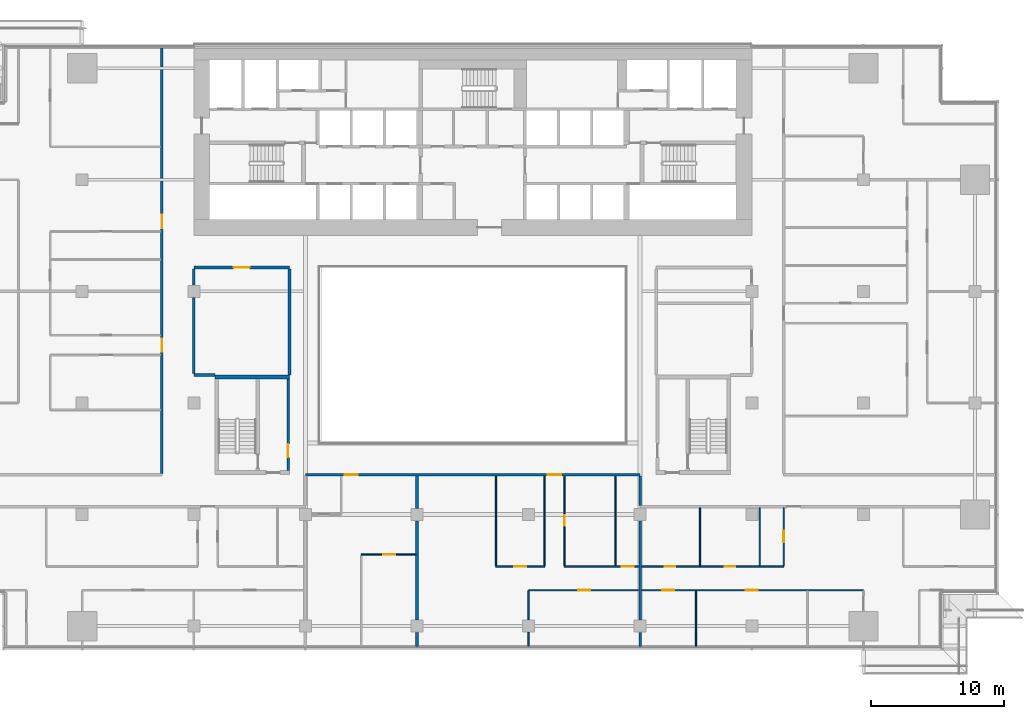
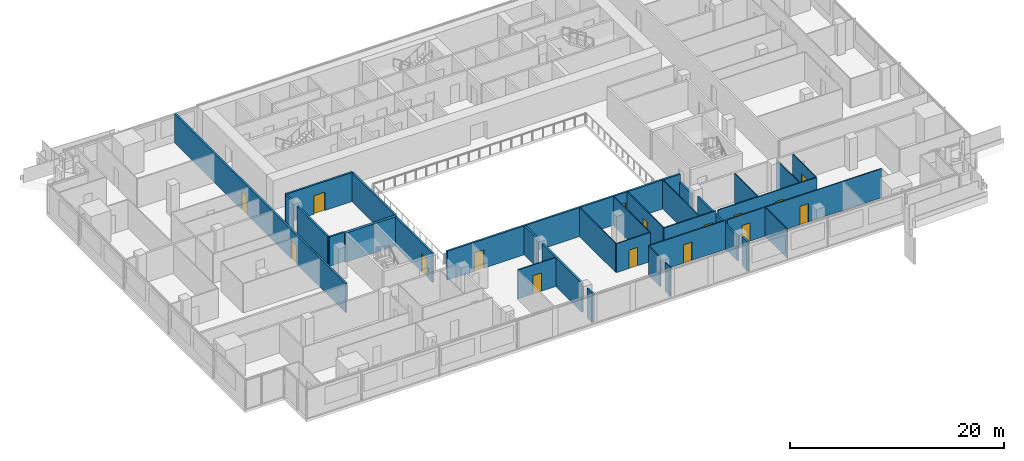
# One storey, part 19 of 30: 31 walls, 16 doors, 16 openings.
"""IFC4 building model written with IfcOpenShell, lengths in metres."""

import ifcopenshell
import ifcopenshell.guid

model = None  # the IFC model being written
_history = None  # IfcOwnerHistory: only IFC2X3 demands one
_inside = {}  # id of a spatial element -> (the spatial element, [elements in it])
_under = {}  # id of a project, library or spatial element -> (it, [spatial elements below it])
_declared = {}  # id of a project -> (the project, [libraries it declares])
_typed = {}  # id of a type object -> (the type object, [elements of that type])
_made_of = {}  # id of a material, layer set ... -> (it, [elements and type objects made of it])


def new_model(schema):
    """Start an empty IFC model of exactly this schema.

    Asked for "IFC4X3", IfcOpenShell would pick the latest addendum, in which some entities
    have other attributes; the version numbers below select the first issue.
    IFC2X3 requires an IfcOwnerHistory on every rooted entity: one is made here for all.
    """
    global model, _history
    if schema == "IFC4X3":
        model = ifcopenshell.file(schema_version=(4, 3, 0, 0))
    else:
        model = ifcopenshell.file(schema=schema)
    _inside.clear()
    _under.clear()
    _declared.clear()
    _typed.clear()
    _made_of.clear()
    _history = None
    if model.schema == "IFC2X3":
        org = make("IfcOrganization", Name="unknown")
        user = make(
            "IfcPersonAndOrganization",
            ThePerson=make("IfcPerson", FamilyName="unknown"),
            TheOrganization=org,
        )
        app = make(
            "IfcApplication",
            ApplicationDeveloper=org,
            Version="unknown",
            ApplicationFullName="unknown",
            ApplicationIdentifier="unknown",
        )
        _history = make(
            "IfcOwnerHistory",
            OwningUser=user,
            OwningApplication=app,
            ChangeAction="ADDED",
            CreationDate=0,
        )
    return model


def make(cls, **values):
    """One entity of the class cls with the attributes given. An attribute that is None is left unset."""
    return model.create_entity(
        cls, **{name: value for name, value in values.items() if value is not None}
    )


def rooted(cls, **values):
    """An entity with a GlobalId (a new one), such as an element, a storey or a relation."""
    return make(cls, GlobalId=ifcopenshell.guid.new(), OwnerHistory=_history, **values)


def si_unit(unit_type, name, prefix=None):
    """IfcSIUnit, for example si_unit("LENGTHUNIT", "METRE", prefix="MILLI")."""
    return make("IfcSIUnit", UnitType=unit_type, Prefix=prefix, Name=name)


def assignment(units):
    """IfcUnitAssignment: the units of a project."""
    return None if units is None else make("IfcUnitAssignment", Units=units)


def point(xyz):
    """IfcCartesianPoint."""
    return None if xyz is None else make("IfcCartesianPoint", Coordinates=xyz)


def direction(xyz):
    """IfcDirection."""
    return None if xyz is None else make("IfcDirection", DirectionRatios=xyz)


def frame(location, z_axis=None, x_axis=None):
    """IfcAxis2Placement3D, a coordinate frame: its origin and axes. An axis left out is left unset."""
    return make(
        "IfcAxis2Placement3D",
        Location=point(location),
        Axis=direction(z_axis),
        RefDirection=direction(x_axis),
    )


def frame_2d(location, x_axis=None):
    """IfcAxis2Placement2D, a coordinate frame in the plane: its origin and x axis."""
    return make(
        "IfcAxis2Placement2D", Location=point(location), RefDirection=direction(x_axis)
    )


def origin():
    """The frame at (0, 0, 0) with its axes left unset."""
    return frame((0.0, 0.0, 0.0))


def place(relative_to, where):
    """IfcLocalPlacement: puts the frame where relative to a parent placement (None: the world)."""
    return make(
        "IfcLocalPlacement", PlacementRelTo=relative_to, RelativePlacement=where
    )


def context(
    kind, dimensions, precision=None, world=None, true_north=None, identifier=None
):
    """IfcGeometricRepresentationContext, for example the 3D "Model" context."""
    return make(
        "IfcGeometricRepresentationContext",
        ContextIdentifier=identifier,
        ContextType=kind,
        CoordinateSpaceDimension=dimensions,
        Precision=precision,
        WorldCoordinateSystem=world,
        TrueNorth=true_north,
    )


def subcontext(parent, identifier, kind, view, scale=None):
    """IfcGeometricRepresentationSubContext, for example "Body" below "Model"."""
    return make(
        "IfcGeometricRepresentationSubContext",
        ContextIdentifier=identifier,
        ContextType=kind,
        ParentContext=parent,
        TargetScale=scale,
        TargetView=view,
    )


def project(units=None, contexts=None):
    """IfcProject with its units and contexts."""
    return rooted(
        "IfcProject",
        Name="project",
        RepresentationContexts=contexts,
        UnitsInContext=assignment(units),
    )


def spatial(cls, under=None, at=None, **own):
    """A site, building, storey or space (cls), placed at a placement, below another one or the project."""
    s = rooted(cls, ObjectPlacement=at, **own)
    if under is not None:
        _under.setdefault(under.id(), (under, []))[1].append(s)
    return s


def profile(cls, at=None, kind="AREA", **sizes):
    """A parametric profile (cls). Its sizes go by their IFC names, for example OverallWidth=200.0."""
    return make(cls, ProfileType=kind, Position=at, **sizes)


def rectangle(**sizes):
    """IfcRectangleProfileDef."""
    return profile("IfcRectangleProfileDef", **sizes)


def extrude(swept, where, along, depth):
    """IfcExtrudedAreaSolid: the profile swept, set in the frame where, extruded along a direction by depth."""
    return make(
        "IfcExtrudedAreaSolid",
        SweptArea=swept,
        Position=where,
        ExtrudedDirection=direction(along),
        Depth=depth,
    )


def shape(context_of_items, identifier, shape_type, items):
    """IfcShapeRepresentation: the items that make up one representation, for example the "Body"."""
    return make(
        "IfcShapeRepresentation",
        ContextOfItems=context_of_items,
        RepresentationIdentifier=identifier,
        RepresentationType=shape_type,
        Items=items,
    )


def material(Name=None, Category=None):
    """IfcMaterial."""
    return make("IfcMaterial", Name=Name, Category=Category)


def layer(
    of_material, thickness, ventilated=None, Name=None, Category=None, Priority=None
):
    """IfcMaterialLayer: one layer of a wall or slab, of a material (None: an air gap)."""
    return make(
        "IfcMaterialLayer",
        Material=of_material,
        LayerThickness=thickness,
        IsVentilated=ventilated,
        Name=Name,
        Category=Category,
        Priority=Priority,
    )


def layer_set(layers, Name=None):
    """IfcMaterialLayerSet."""
    return make("IfcMaterialLayerSet", MaterialLayers=layers, LayerSetName=Name)


def made_of(thing, what):
    """Note that an element or type object is made of a material, layer set ...; save() writes the relation."""
    if what is not None:
        _made_of.setdefault(what.id(), (what, []))[1].append(thing)
    return thing


def type_object(cls, material=None, **own):
    """A type object (cls), such as IfcWallType, which elements share."""
    return made_of(rooted(cls, **own), material)


def element(
    cls,
    number,
    at=None,
    inside=None,
    cuts=None,
    type_object=None,
    material=None,
    context=None,
    identifier="Body",
    shape_type=None,
    held_by="IfcProductDefinitionShape",
    body=None,
    shapes=None,
    **own,
):
    """One element of the class cls, such as IfcWall. Its Tag is "e" and its number.

    at: its placement. inside: the storey or other place that contains it. cuts: it is an
    opening in that element (IfcRelVoidsElement). A single representation is given by context,
    identifier, shape_type and body (its items); several are given by shapes. held_by: the class
    of the entity that holds the representations. save() writes the other relations.
    """
    e = rooted(cls, Tag="e%d" % number, ObjectPlacement=at, **own)
    if body is not None:
        shapes = [shape(context, identifier, shape_type, body)]
    if shapes is not None:
        e.Representation = make(held_by, Representations=shapes)
    if inside is not None:
        _inside.setdefault(inside.id(), (inside, []))[1].append(e)
    if cuts is not None:
        rooted(
            "IfcRelVoidsElement", RelatingBuildingElement=cuts, RelatedOpeningElement=e
        )
    if type_object is not None:
        _typed.setdefault(type_object.id(), (type_object, []))[1].append(e)
    return made_of(e, material)


def fill(opening, filler):
    """IfcRelFillsElement: the door or window that sits in an opening."""
    return rooted(
        "IfcRelFillsElement",
        RelatingOpeningElement=opening,
        RelatedBuildingElement=filler,
    )


def aggregate(whole, parts):
    """IfcRelAggregates: a whole, such as a stair, and the parts it consists of."""
    return rooted("IfcRelAggregates", RelatingObject=whole, RelatedObjects=parts)


def save(model, path):
    """Write the relations noted so far, then the file.

    IfcRelAggregates (storeys below a building ...), IfcRelContainedInSpatialStructure (elements
    in a storey), IfcRelDefinesByType, IfcRelAssociatesMaterial and IfcRelDeclares: one each for
    every whole, place, type object, material and project.
    """
    for whole, parts in _under.values():
        aggregate(whole, parts)
    for where, things in _inside.values():
        rooted(
            "IfcRelContainedInSpatialStructure",
            RelatedElements=things,
            RelatingStructure=where,
        )
    for kind, things in _typed.values():
        rooted("IfcRelDefinesByType", RelatedObjects=things, RelatingType=kind)
    for what, things in _made_of.values():
        rooted("IfcRelAssociatesMaterial", RelatedObjects=things, RelatingMaterial=what)
    for by, libraries in _declared.values():
        rooted("IfcRelDeclares", RelatingContext=by, RelatedDefinitions=libraries)
    model.write(path)


model = new_model("IFC4")

# Units and contexts
model_context = context("Model", 3, precision=1e-05, world=origin(), true_north=direction((0.0, 1.0)))
body_context = subcontext(model_context, "Body", "Model", "MODEL_VIEW")
ifc_project = project(units=[si_unit("LENGTHUNIT", "METRE"), si_unit("AREAUNIT", "SQUARE_METRE"), si_unit("VOLUMEUNIT", "CUBIC_METRE"), si_unit("PLANEANGLEUNIT", "RADIAN"), si_unit("MASSUNIT", "GRAM", prefix="KILO")], contexts=[model_context])

# Site, building, storey
site_placement = place(None, origin())
site = spatial("IfcSite", under=ifc_project, at=site_placement, CompositionType="ELEMENT")
building_placement = place(site_placement, origin())
building = spatial("IfcBuilding", under=site, at=building_placement, Name="Saffron Gate Tower", CompositionType="ELEMENT")
storey_placement = place(building_placement, frame((0.0, 0.0, 69.60009765625)))
storey = spatial("IfcBuildingStorey", under=building, at=storey_placement, Name="L16", CompositionType="ELEMENT", Elevation=69.60009765625)

# Wall, opening, door
ifc_material_1 = material(Name="Gypsum board partition on steel studs", Category="steel")
ifc_layer_1 = layer(ifc_material_1, 0.199951171875)
ifc_layer_set_1 = layer_set([ifc_layer_1], Name="CW10 Core partition 200")
wall_type_1 = type_object("IfcWallType", Name="CW10 Core partition 200", PredefinedType="PARTITIONING", material=ifc_layer_set_1)
wall_1_placement = place(storey_placement, frame((73.699951171875, 43.5, 0.0), z_axis=(0.0, 0.0, 1.0), x_axis=(0.0, 1.0, 0.0)))
wall_1 = element("IfcWall", 1, at=wall_1_placement, inside=storey, type_object=wall_type_1, Name="Wall CW10-L16-D-4", PredefinedType="PARTITIONING", context=body_context, shape_type="SweptSolid", body=[
    extrude(rectangle(XDim=6.89990234375, YDim=0.199951171875, at=frame_2d((3.449951171875, 0.0))), origin(), (0.0, 0.0, 1.0), 3.31982421875),
])
opening_1_placement = place(wall_1_placement, frame((1.0, 0.0, 0.0)))
opening_1 = element("IfcOpeningElement", 2, at=opening_1_placement, cuts=wall_1, Name="Opening CR-19", PredefinedType="OPENING", context=body_context, shape_type="SweptSolid", body=[
    extrude(rectangle(XDim=1.0, YDim=2.10009765625, at=frame_2d((0.5, 1.050048828125))), frame((0.0, 0.10986328125, 0.0), z_axis=(0.0, -1.0, 0.0), x_axis=(1.0, 0.0, 0.0)), (0.0, 0.0, 1.0), 0.219970703125),
])
ifc_material_2 = material(Name="Steel fire door set", Category="steel")
door_type_1 = type_object("IfcDoorType", Name="CD4 Lobby door 1000x2100 EI 120", OperationType="NOTDEFINED", PredefinedType="DOOR", material=ifc_material_2)
door_1_placement = place(opening_1_placement, origin())
door_1 = element("IfcDoor", 3, at=door_1_placement, inside=storey, type_object=door_type_1, Name="DOOR CR-19", OperationType="SINGLE_SWING_RIGHT", OverallHeight=2.10009765625, OverallWidth=1.0, PredefinedType="DOOR", context=body_context, shape_type="SweptSolid", body=[
    extrude(rectangle(XDim=1.0, YDim=2.10009765625, at=frame_2d((0.5, 1.050048828125))), frame((0.0, 0.02490234375, 0.0), z_axis=(0.0, -1.0, 0.0), x_axis=(1.0, 0.0, 0.0)), (0.0, 0.0, 1.0), 0.050048828125),
])
fill(opening_1, door_1)

# Wall
ifc_material_3 = material(Name="Concrete C70", Category="concrete")
ifc_layer_2 = layer(ifc_material_3, 0.300048828125)
ifc_layer_set_2 = layer_set([ifc_layer_2], Name="CW5 RC core wall 300 C70")
wall_type_2 = type_object("IfcWallType", Name="CW5 RC core wall 300 C70", PredefinedType="SOLIDWALL", material=ifc_layer_set_2)
wall_2_placement = place(storey_placement, frame((68.199951171875, 50.550048828125, 0.0), z_axis=(0.0, 0.0, 1.0), x_axis=(1.0, 0.0, 0.0)))
element("IfcWall", 4, at=wall_2_placement, inside=storey, type_object=wall_type_2, Name="Wall CW5-L16-D-5", PredefinedType="SOLIDWALL", context=body_context, shape_type="SweptSolid", body=[
    extrude(rectangle(XDim=5.60009765625, YDim=0.300048828125, at=frame_2d((2.800048828125, 0.0))), origin(), (0.0, 0.0, 1.0), 3.31982421875),
])

# Wall, opening, door
ifc_material_4 = material(Name="Plasterboard on steel studs", Category="steel")
ifc_layer_3 = layer(ifc_material_4, 0.10009765625)
ifc_layer_set_3 = layer_set([ifc_layer_3], Name="PW1 Partition 100")
wall_type_3 = type_object("IfcWallType", Name="PW1 Partition 100", PredefinedType="PARTITIONING", material=ifc_layer_set_3)
wall_3_placement = place(storey_placement, frame((89.342041015625, 36.300048828125, 0.0), z_axis=(0.0, 0.0, 1.0), x_axis=(1.0, 0.0, 0.0)))
wall_3 = element("IfcWall", 5, at=wall_3_placement, inside=storey, type_object=wall_type_3, Name="Partition A4-6", PredefinedType="PARTITIONING", context=body_context, shape_type="SweptSolid", body=[
    extrude(rectangle(XDim=3.657958984375, YDim=0.10009765625, at=frame_2d((1.8291015625, 0.0))), origin(), (0.0, 0.0, 1.0), 3.31982421875),
])
opening_2_placement = place(wall_3_placement, frame((1.37890625, 0.0, 0.0)))
opening_2 = element("IfcOpeningElement", 6, at=opening_2_placement, cuts=wall_3, Name="Opening A4-15", PredefinedType="OPENING", context=body_context, shape_type="SweptSolid", body=[
    extrude(rectangle(XDim=0.89990234375, YDim=2.10009765625, at=frame_2d((0.449951171875, 1.050048828125))), frame((0.0, 0.06005859375, 0.0), z_axis=(0.0, -1.0, 0.0), x_axis=(1.0, 0.0, 0.0)), (0.0, 0.0, 1.0), 0.1201171875),
])
ifc_material_5 = material(Name="Timber door set", Category="wood")
door_type_2 = type_object("IfcDoorType", Name="RD1 Room door 900x2100", OperationType="NOTDEFINED", PredefinedType="DOOR", material=ifc_material_5)
door_2_placement = place(opening_2_placement, origin())
door_2 = element("IfcDoor", 7, at=door_2_placement, inside=storey, type_object=door_type_2, Name="Door A4-15", OperationType="SINGLE_SWING_LEFT", OverallHeight=2.10009765625, OverallWidth=0.89990234375, PredefinedType="DOOR", context=body_context, shape_type="SweptSolid", body=[
    extrude(rectangle(XDim=0.89990234375, YDim=2.10009765625, at=frame_2d((0.449951171875, 1.050048828125))), frame((0.0, 0.02490234375, 0.0), z_axis=(0.0, -1.0, 0.0), x_axis=(1.0, 0.0, 0.0)), (0.0, 0.0, 1.0), 0.050048828125),
])
fill(opening_2, door_2)

wall_4_placement = place(storey_placement, frame((83.300048828125, 37.199951171875, 0.0), z_axis=(0.0, 0.0, 1.0), x_axis=(-1.0, 0.0, 0.0)))
wall_4 = element("IfcWall", 8, at=wall_4_placement, inside=storey, type_object=wall_type_3, Name="Partition A4-8", PredefinedType="PARTITIONING", context=body_context, shape_type="SweptSolid", body=[
    extrude(rectangle(XDim=4.10009765625, YDim=0.10009765625, at=frame_2d((2.050048828125, 0.0))), origin(), (0.0, 0.0, 1.0), 3.31982421875),
])
opening_3_placement = place(wall_4_placement, frame((1.550048828125, 0.0, 0.0)))
opening_3 = element("IfcOpeningElement", 9, at=opening_3_placement, cuts=wall_4, Name="Opening A4-13", PredefinedType="OPENING", context=body_context, shape_type="SweptSolid", body=[
    extrude(rectangle(XDim=0.89990234375, YDim=2.10009765625, at=frame_2d((0.449951171875, 1.050048828125))), frame((0.0, 0.06005859375, 0.0), z_axis=(0.0, -1.0, 0.0), x_axis=(1.0, 0.0, 0.0)), (0.0, 0.0, 1.0), 0.1201171875),
])
door_3_placement = place(opening_3_placement, origin())
door_3 = element("IfcDoor", 10, at=door_3_placement, inside=storey, type_object=door_type_2, Name="Door A4-13", OperationType="SINGLE_SWING_LEFT", OverallHeight=2.10009765625, OverallWidth=0.89990234375, PredefinedType="DOOR", context=body_context, shape_type="SweptSolid", body=[
    extrude(rectangle(XDim=0.89990234375, YDim=2.10009765625, at=frame_2d((0.449951171875, 1.050048828125))), frame((0.0, 0.02490234375, 0.0), z_axis=(0.0, -1.0, 0.0), x_axis=(1.0, 0.0, 0.0)), (0.0, 0.0, 1.0), 0.050048828125),
])
fill(opening_3, door_3)

# Walls
wall_5_placement = place(storey_placement, frame((89.342041015625, 43.10009765625, 0.0), z_axis=(0.0, 0.0, 1.0), x_axis=(0.0, -1.0, 0.0)))
element("IfcWall", 11, at=wall_5_placement, inside=storey, type_object=wall_type_3, Name="Partition A4-74", PredefinedType="PARTITIONING", context=body_context, shape_type="SweptSolid", body=[
    extrude(rectangle(XDim=6.75, YDim=0.10009765625, at=frame_2d((3.375, 0.0))), origin(), (0.0, 0.0, 1.0), 3.31982421875),
])
wall_6_placement = place(storey_placement, frame((91.800048828125, 31.330078125, 0.0), z_axis=(0.0, 0.0, 1.0), x_axis=(0.0, -1.0, 0.0)))
element("IfcWall", 12, at=wall_6_placement, inside=storey, type_object=wall_type_3, Name="Partition A4-75", PredefinedType="PARTITIONING", context=body_context, shape_type="SweptSolid", body=[
    extrude(rectangle(XDim=1.050048828125, YDim=0.10009765625, at=frame_2d((0.52490234375, 0.0))), origin(), (0.0, 0.0, 1.0), 3.31982421875),
])
wall_7_placement = place(storey_placement, frame((91.800048828125, 34.449951171875, 0.0), z_axis=(0.0, 0.0, 1.0), x_axis=(0.0, -1.0, 0.0)))
element("IfcWall", 13, at=wall_7_placement, inside=storey, type_object=wall_type_3, Name="Partition A4-76", PredefinedType="PARTITIONING", context=body_context, shape_type="SweptSolid", body=[
    extrude(rectangle(XDim=2.179931640625, YDim=0.10009765625, at=frame_2d((1.08984375, 0.0))), origin(), (0.0, 0.0, 1.0), 3.31982421875),
])
wall_8_placement = place(storey_placement, frame((93.0, 43.10009765625, 0.0), z_axis=(0.0, 0.0, 1.0), x_axis=(0.0, -1.0, 0.0)))
element("IfcWall", 14, at=wall_8_placement, inside=storey, type_object=wall_type_3, Name="Partition A4-77", PredefinedType="PARTITIONING", context=body_context, shape_type="SweptSolid", body=[
    extrude(rectangle(XDim=6.75, YDim=0.10009765625, at=frame_2d((3.375, 0.0))), origin(), (0.0, 0.0, 1.0), 3.31982421875),
])

# Wall, opening, door
wall_9_placement = place(storey_placement, frame((94.5, 43.10009765625, 0.0), z_axis=(0.0, 0.0, 1.0), x_axis=(0.0, -1.0, 0.0)))
wall_9 = element("IfcWall", 15, at=wall_9_placement, inside=storey, type_object=wall_type_3, Name="Partition A4-78", PredefinedType="PARTITIONING", context=body_context, shape_type="SweptSolid", body=[
    extrude(rectangle(XDim=6.75, YDim=0.10009765625, at=frame_2d((3.375, 0.0))), origin(), (0.0, 0.0, 1.0), 3.31982421875),
])
opening_4_placement = place(wall_9_placement, frame((2.949951171875, 0.0, 0.0)))
opening_4 = element("IfcOpeningElement", 16, at=opening_4_placement, cuts=wall_9, Name="Opening A4-37", PredefinedType="OPENING", context=body_context, shape_type="SweptSolid", body=[
    extrude(rectangle(XDim=0.800048828125, YDim=2.10009765625, at=frame_2d((0.39990234375, 1.050048828125))), frame((0.0, 0.06005859375, 0.0), z_axis=(0.0, -1.0, 0.0), x_axis=(1.0, 0.0, 0.0)), (0.0, 0.0, 1.0), 0.1201171875),
])
door_type_3 = type_object("IfcDoorType", Name="RD2 Bathroom door 800x2100", OperationType="NOTDEFINED", PredefinedType="DOOR", material=ifc_material_5)
door_4_placement = place(opening_4_placement, origin())
door_4 = element("IfcDoor", 17, at=door_4_placement, inside=storey, type_object=door_type_3, Name="Door A4-37", OperationType="SINGLE_SWING_LEFT", OverallHeight=2.10009765625, OverallWidth=0.800048828125, PredefinedType="DOOR", context=body_context, shape_type="SweptSolid", body=[
    extrude(rectangle(XDim=0.800048828125, YDim=2.10009765625, at=frame_2d((0.39990234375, 1.050048828125))), frame((0.0, 0.02490234375, 0.0), z_axis=(0.0, -1.0, 0.0), x_axis=(1.0, 0.0, 0.0)), (0.0, 0.0, 1.0), 0.050048828125),
])
fill(opening_4, door_4)

# Walls
wall_10_placement = place(storey_placement, frame((98.340576171875, 43.10009765625, 0.0), z_axis=(0.0, 0.0, 1.0), x_axis=(0.0, -1.0, 0.0)))
element("IfcWall", 18, at=wall_10_placement, inside=storey, type_object=wall_type_3, Name="Partition A4-79", PredefinedType="PARTITIONING", context=body_context, shape_type="SweptSolid", body=[
    extrude(rectangle(XDim=6.75, YDim=0.10009765625, at=frame_2d((3.375, 0.0))), origin(), (0.0, 0.0, 1.0), 3.31982421875),
])
wall_11_placement = place(storey_placement, frame((104.39990234375, 34.449951171875, 0.0), z_axis=(0.0, 0.0, 1.0), x_axis=(0.0, -1.0, 0.0)))
element("IfcWall", 19, at=wall_11_placement, inside=storey, type_object=wall_type_3, Name="Partition A4-84", PredefinedType="PARTITIONING", context=body_context, shape_type="SweptSolid", body=[
    extrude(rectangle(XDim=4.169921875, YDim=0.10009765625, at=frame_2d((2.0849609375, 0.0))), origin(), (0.0, 0.0, 1.0), 3.31982421875),
])
for number, where, z_axis, x_axis, name in (
    (20, (104.699951171875, 40.699951171875, 0.0), (0.0, 0.0, 1.0), (0.0, -1.0, 0.0), "Partition A4-85"),
    (21, (109.199951171875, 40.699951171875, 0.0), (0.0, 0.0, 1.0), (0.0, -1.0, 0.0), "Partition A4-88"),
):
    element("IfcWall", number, at=place(storey_placement, frame(where, z_axis=z_axis, x_axis=x_axis)), inside=storey, type_object=wall_type_3, Name=name, PredefinedType="PARTITIONING", context=body_context, shape_type="SweptSolid", body=[
        extrude(rectangle(XDim=4.349853515625, YDim=0.10009765625, at=frame_2d((2.1748046875, 0.0))), origin(), (0.0, 0.0, 1.0), 3.31982421875),
    ])

# Wall, opening, door
wall_12_placement = place(storey_placement, frame((111.0, 36.35009765625, 0.0), z_axis=(0.0, 0.0, 1.0), x_axis=(0.0, 1.0, 0.0)))
wall_12 = element("IfcWall", 22, at=wall_12_placement, inside=storey, type_object=wall_type_3, Name="Partition A4-90", PredefinedType="PARTITIONING", context=body_context, shape_type="SweptSolid", body=[
    extrude(rectangle(XDim=4.349853515625, YDim=0.10009765625, at=frame_2d((2.1748046875, 0.0))), origin(), (0.0, 0.0, 1.0), 3.31982421875),
])
opening_5_placement = place(wall_12_placement, frame((1.75, 0.0, 0.0)))
opening_5 = element("IfcOpeningElement", 23, at=opening_5_placement, cuts=wall_12, Name="Opening A4-22", PredefinedType="OPENING", context=body_context, shape_type="SweptSolid", body=[
    extrude(rectangle(XDim=0.89990234375, YDim=2.10009765625, at=frame_2d((0.449951171875, 1.050048828125))), frame((0.0, 0.06005859375, 0.0), z_axis=(0.0, -1.0, 0.0), x_axis=(1.0, 0.0, 0.0)), (0.0, 0.0, 1.0), 0.1201171875),
])
door_5_placement = place(opening_5_placement, origin())
door_5 = element("IfcDoor", 24, at=door_5_placement, inside=storey, type_object=door_type_2, Name="Door A4-22", OperationType="SINGLE_SWING_RIGHT", OverallHeight=2.10009765625, OverallWidth=0.89990234375, PredefinedType="DOOR", context=body_context, shape_type="SweptSolid", body=[
    extrude(rectangle(XDim=0.89990234375, YDim=2.10009765625, at=frame_2d((0.449951171875, 1.050048828125))), frame((0.0, 0.02490234375, 0.0), z_axis=(0.0, -1.0, 0.0), x_axis=(1.0, 0.0, 0.0)), (0.0, 0.0, 1.0), 0.050048828125),
])
fill(opening_5, door_5)

wall_13_placement = place(storey_placement, frame((100.10009765625, 34.5, 0.0), z_axis=(0.0, 0.0, 1.0), x_axis=(-1.0, 0.0, 0.0)))
wall_13 = element("IfcWall", 25, at=wall_13_placement, inside=storey, type_object=wall_type_3, Name="Partition A4-101", PredefinedType="PARTITIONING", context=body_context, shape_type="SweptSolid", body=[
    extrude(rectangle(XDim=8.300048828125, YDim=0.10009765625, at=frame_2d((4.14990234375, 0.0))), origin(), (0.0, 0.0, 1.0), 3.31982421875),
])
opening_6_placement = place(wall_13_placement, frame((3.64990234375, 0.0, 0.0)))
opening_6 = element("IfcOpeningElement", 26, at=opening_6_placement, cuts=wall_13, Name="Opening A4-14", PredefinedType="OPENING", context=body_context, shape_type="SweptSolid", body=[
    extrude(rectangle(XDim=0.89990234375, YDim=2.10009765625, at=frame_2d((0.449951171875, 1.050048828125))), frame((0.0, 0.06005859375, 0.0), z_axis=(0.0, -1.0, 0.0), x_axis=(1.0, 0.0, 0.0)), (0.0, 0.0, 1.0), 0.1201171875),
])
door_6_placement = place(opening_6_placement, origin())
door_6 = element("IfcDoor", 27, at=door_6_placement, inside=storey, type_object=door_type_2, Name="Door A4-14", OperationType="SINGLE_SWING_LEFT", OverallHeight=2.10009765625, OverallWidth=0.89990234375, PredefinedType="DOOR", context=body_context, shape_type="SweptSolid", body=[
    extrude(rectangle(XDim=0.89990234375, YDim=2.10009765625, at=frame_2d((0.449951171875, 1.050048828125))), frame((0.0, 0.02490234375, 0.0), z_axis=(0.0, -1.0, 0.0), x_axis=(1.0, 0.0, 0.0)), (0.0, 0.0, 1.0), 0.050048828125),
])
fill(opening_6, door_6)

# Wall, openings, doors
wall_14_placement = place(storey_placement, frame((117.0, 34.5, 0.0), z_axis=(0.0, 0.0, 1.0), x_axis=(-1.0, 0.0, 0.0)))
wall_14 = element("IfcWall", 28, at=wall_14_placement, inside=storey, type_object=wall_type_3, Name="Partition A4-102", PredefinedType="PARTITIONING", context=body_context, shape_type="SweptSolid", body=[
    extrude(rectangle(XDim=16.699951171875, YDim=0.10009765625, at=frame_2d((8.35009765625, 0.0))), origin(), (0.0, 0.0, 1.0), 3.31982421875),
])
opening_7_placement = place(wall_14_placement, frame((7.949951171875, 0.0, 0.0)))
opening_7 = element("IfcOpeningElement", 29, at=opening_7_placement, cuts=wall_14, Name="Opening A4-18", PredefinedType="OPENING", context=body_context, shape_type="SweptSolid", body=[
    extrude(rectangle(XDim=0.89990234375, YDim=2.10009765625, at=frame_2d((0.449951171875, 1.050048828125))), frame((0.0, 0.06005859375, 0.0), z_axis=(0.0, -1.0, 0.0), x_axis=(1.0, 0.0, 0.0)), (0.0, 0.0, 1.0), 0.1201171875),
])
opening_8_placement = place(wall_14_placement, frame((14.25, 0.0, 0.0)))
opening_8 = element("IfcOpeningElement", 30, at=opening_8_placement, cuts=wall_14, Name="Opening A4-17", PredefinedType="OPENING", context=body_context, shape_type="SweptSolid", body=[
    extrude(rectangle(XDim=0.89990234375, YDim=2.10009765625, at=frame_2d((0.449951171875, 1.050048828125))), frame((0.0, 0.06005859375, 0.0), z_axis=(0.0, -1.0, 0.0), x_axis=(1.0, 0.0, 0.0)), (0.0, 0.0, 1.0), 0.1201171875),
])
door_7_placement = place(opening_7_placement, origin())
door_7 = element("IfcDoor", 31, at=door_7_placement, inside=storey, type_object=door_type_2, Name="Door A4-18", OperationType="SINGLE_SWING_LEFT", OverallHeight=2.10009765625, OverallWidth=0.89990234375, PredefinedType="DOOR", context=body_context, shape_type="SweptSolid", body=[
    extrude(rectangle(XDim=0.89990234375, YDim=2.10009765625, at=frame_2d((0.449951171875, 1.050048828125))), frame((0.0, 0.02490234375, 0.0), z_axis=(0.0, -1.0, 0.0), x_axis=(1.0, 0.0, 0.0)), (0.0, 0.0, 1.0), 0.050048828125),
])
fill(opening_7, door_7)
door_8_placement = place(opening_8_placement, origin())
door_8 = element("IfcDoor", 32, at=door_8_placement, inside=storey, type_object=door_type_2, Name="Door A4-17", OperationType="SINGLE_SWING_RIGHT", OverallHeight=2.10009765625, OverallWidth=0.89990234375, PredefinedType="DOOR", context=body_context, shape_type="SweptSolid", body=[
    extrude(rectangle(XDim=0.89990234375, YDim=2.10009765625, at=frame_2d((0.449951171875, 1.050048828125))), frame((0.0, 0.02490234375, 0.0), z_axis=(0.0, -1.0, 0.0), x_axis=(1.0, 0.0, 0.0)), (0.0, 0.0, 1.0), 0.050048828125),
])
fill(opening_8, door_8)

# Wall, opening, door
wall_15_placement = place(storey_placement, frame((94.5, 36.300048828125, 0.0), z_axis=(0.0, 0.0, 1.0), x_axis=(1.0, 0.0, 0.0)))
wall_15 = element("IfcWall", 33, at=wall_15_placement, inside=storey, type_object=wall_type_3, Name="Partition A4-103", PredefinedType="PARTITIONING", context=body_context, shape_type="SweptSolid", body=[
    extrude(rectangle(XDim=5.60009765625, YDim=0.10009765625, at=frame_2d((2.800048828125, 0.0))), origin(), (0.0, 0.0, 1.0), 3.31982421875),
])
opening_9_placement = place(wall_15_placement, frame((4.3203125, 0.0, 0.0)))
opening_9 = element("IfcOpeningElement", 34, at=opening_9_placement, cuts=wall_15, Name="Opening A4-16", PredefinedType="OPENING", context=body_context, shape_type="SweptSolid", body=[
    extrude(rectangle(XDim=0.89990234375, YDim=2.10009765625, at=frame_2d((0.449951171875, 1.050048828125))), frame((0.0, 0.06005859375, 0.0), z_axis=(0.0, -1.0, 0.0), x_axis=(1.0, 0.0, 0.0)), (0.0, 0.0, 1.0), 0.1201171875),
])
door_9_placement = place(opening_9_placement, origin())
door_9 = element("IfcDoor", 35, at=door_9_placement, inside=storey, type_object=door_type_2, Name="Door A4-16", OperationType="SINGLE_SWING_RIGHT", OverallHeight=2.10009765625, OverallWidth=0.89990234375, PredefinedType="DOOR", context=body_context, shape_type="SweptSolid", body=[
    extrude(rectangle(XDim=0.89990234375, YDim=2.10009765625, at=frame_2d((0.449951171875, 1.050048828125))), frame((0.0, 0.02490234375, 0.0), z_axis=(0.0, -1.0, 0.0), x_axis=(1.0, 0.0, 0.0)), (0.0, 0.0, 1.0), 0.050048828125),
])
fill(opening_9, door_9)

# Wall, openings, doors
wall_16_placement = place(storey_placement, frame((100.300048828125, 36.300048828125, 0.0), z_axis=(0.0, 0.0, 1.0), x_axis=(1.0, 0.0, 0.0)))
wall_16 = element("IfcWall", 36, at=wall_16_placement, inside=storey, type_object=wall_type_3, Name="Partition A4-104", PredefinedType="PARTITIONING", context=body_context, shape_type="SweptSolid", body=[
    extrude(rectangle(XDim=10.699951171875, YDim=0.10009765625, at=frame_2d((5.35009765625, 0.0))), origin(), (0.0, 0.0, 1.0), 3.31982421875),
])
opening_10_placement = place(wall_16_placement, frame((1.75, 0.0, 0.0)))
opening_10 = element("IfcOpeningElement", 37, at=opening_10_placement, cuts=wall_16, Name="Opening A4-38", PredefinedType="OPENING", context=body_context, shape_type="SweptSolid", body=[
    extrude(rectangle(XDim=0.800048828125, YDim=2.10009765625, at=frame_2d((0.39990234375, 1.050048828125))), frame((0.0, 0.06005859375, 0.0), z_axis=(0.0, -1.0, 0.0), x_axis=(1.0, 0.0, 0.0)), (0.0, 0.0, 1.0), 0.1201171875),
])
opening_11_placement = place(wall_16_placement, frame((6.25, 0.0, 0.0)))
opening_11 = element("IfcOpeningElement", 38, at=opening_11_placement, cuts=wall_16, Name="Opening A4-39", PredefinedType="OPENING", context=body_context, shape_type="SweptSolid", body=[
    extrude(rectangle(XDim=0.800048828125, YDim=2.10009765625, at=frame_2d((0.39990234375, 1.050048828125))), frame((0.0, 0.06005859375, 0.0), z_axis=(0.0, -1.0, 0.0), x_axis=(1.0, 0.0, 0.0)), (0.0, 0.0, 1.0), 0.1201171875),
])
door_10_placement = place(opening_10_placement, origin())
door_10 = element("IfcDoor", 39, at=door_10_placement, inside=storey, type_object=door_type_3, Name="Door A4-38", OperationType="SINGLE_SWING_LEFT", OverallHeight=2.10009765625, OverallWidth=0.800048828125, PredefinedType="DOOR", context=body_context, shape_type="SweptSolid", body=[
    extrude(rectangle(XDim=0.800048828125, YDim=2.10009765625, at=frame_2d((0.39990234375, 1.050048828125))), frame((0.0, 0.02490234375, 0.0), z_axis=(0.0, -1.0, 0.0), x_axis=(1.0, 0.0, 0.0)), (0.0, 0.0, 1.0), 0.050048828125),
])
fill(opening_10, door_10)
door_11_placement = place(opening_11_placement, origin())
door_11 = element("IfcDoor", 40, at=door_11_placement, inside=storey, type_object=door_type_3, Name="Door A4-39", OperationType="SINGLE_SWING_RIGHT", OverallHeight=2.10009765625, OverallWidth=0.800048828125, PredefinedType="DOOR", context=body_context, shape_type="SweptSolid", body=[
    extrude(rectangle(XDim=0.800048828125, YDim=2.10009765625, at=frame_2d((0.39990234375, 1.050048828125))), frame((0.0, 0.02490234375, 0.0), z_axis=(0.0, -1.0, 0.0), x_axis=(1.0, 0.0, 0.0)), (0.0, 0.0, 1.0), 0.050048828125),
])
fill(opening_11, door_11)

# Walls
ifc_material_6 = material(Name="Clay brick masonry, rendered", Category="masonry")
ifc_layer_4 = layer(ifc_material_6, 0.199951171875)
ifc_layer_set_4 = layer_set([ifc_layer_4], Name="PW2 Demising wall 200")
wall_type_4 = type_object("IfcWallType", Name="PW2 Demising wall 200", PredefinedType="PARTITIONING", material=ifc_layer_set_4)
wall_17_placement = place(storey_placement, frame((83.39990234375, 31.330078125, 0.0), z_axis=(0.0, 0.0, 1.0), x_axis=(0.0, -1.0, 0.0)))
element("IfcWall", 41, at=wall_17_placement, inside=storey, type_object=wall_type_4, Name="Wall A4-71", PredefinedType="PARTITIONING", context=body_context, shape_type="SweptSolid", body=[
    extrude(rectangle(XDim=1.050048828125, YDim=0.199951171875, at=frame_2d((0.52490234375, 0.0))), origin(), (0.0, 0.0, 1.0), 3.31982421875),
])
wall_18_placement = place(storey_placement, frame((83.39990234375, 39.72998046875, 0.0), z_axis=(0.0, 0.0, 1.0), x_axis=(0.0, -1.0, 0.0)))
element("IfcWall", 42, at=wall_18_placement, inside=storey, type_object=wall_type_4, Name="Wall A4-72", PredefinedType="PARTITIONING", context=body_context, shape_type="SweptSolid", body=[
    extrude(rectangle(XDim=7.4599609375, YDim=0.199951171875, at=frame_2d((3.72998046875, 0.0))), origin(), (0.0, 0.0, 1.0), 3.31982421875),
])
wall_19_placement = place(storey_placement, frame((83.39990234375, 43.10009765625, 0.0), z_axis=(0.0, 0.0, 1.0), x_axis=(0.0, -1.0, 0.0)))
element("IfcWall", 43, at=wall_19_placement, inside=storey, type_object=wall_type_4, Name="Wall A4-73", PredefinedType="PARTITIONING", context=body_context, shape_type="SweptSolid", body=[
    extrude(rectangle(XDim=2.43017578125, YDim=0.199951171875, at=frame_2d((1.215087890625, 0.0))), origin(), (0.0, 0.0, 1.0), 3.31982421875),
])
wall_20_placement = place(storey_placement, frame((100.199951171875, 31.330078125, 0.0), z_axis=(0.0, 0.0, 1.0), x_axis=(0.0, -1.0, 0.0)))
element("IfcWall", 44, at=wall_20_placement, inside=storey, type_object=wall_type_4, Name="Wall A4-81", PredefinedType="PARTITIONING", context=body_context, shape_type="SweptSolid", body=[
    extrude(rectangle(XDim=1.050048828125, YDim=0.199951171875, at=frame_2d((0.52490234375, 0.0))), origin(), (0.0, 0.0, 1.0), 3.31982421875),
])
wall_21_placement = place(storey_placement, frame((100.199951171875, 39.72998046875, 0.0), z_axis=(0.0, 0.0, 1.0), x_axis=(0.0, -1.0, 0.0)))
element("IfcWall", 45, at=wall_21_placement, inside=storey, type_object=wall_type_4, Name="Wall A4-82", PredefinedType="PARTITIONING", context=body_context, shape_type="SweptSolid", body=[
    extrude(rectangle(XDim=7.4599609375, YDim=0.199951171875, at=frame_2d((3.72998046875, 0.0))), origin(), (0.0, 0.0, 1.0), 2.829833984375),
])

# Wall, openings, doors
ifc_layer_5 = layer(ifc_material_6, 0.199951171875)
ifc_layer_set_5 = layer_set([ifc_layer_5], Name="PW3 Corridor wall 200")
wall_type_5 = type_object("IfcWallType", Name="PW3 Corridor wall 200", PredefinedType="PARTITIONING", material=ifc_layer_set_5)
wall_22_placement = place(storey_placement, frame((100.199951171875, 43.199951171875, 0.0), z_axis=(0.0, 0.0, 1.0), x_axis=(-1.0, 0.0, 0.0)))
wall_22 = element("IfcWall", 46, at=wall_22_placement, inside=storey, type_object=wall_type_5, Name="Wall A4-15", PredefinedType="PARTITIONING", context=body_context, shape_type="SweptSolid", body=[
    extrude(rectangle(XDim=25.199951171875, YDim=0.199951171875, at=frame_2d((12.60009765625, 0.0))), origin(), (0.0, 0.0, 1.0), 3.31982421875),
])
opening_12_placement = place(wall_22_placement, frame((5.949951171875, 0.0, 0.0)))
opening_12 = element("IfcOpeningElement", 47, at=opening_12_placement, cuts=wall_22, Name="Opening A4-3", PredefinedType="OPENING", context=body_context, shape_type="SweptSolid", body=[
    extrude(rectangle(XDim=1.0, YDim=2.10009765625, at=frame_2d((0.5, 1.050048828125))), frame((0.0, 0.10986328125, 0.0), z_axis=(0.0, -1.0, 0.0), x_axis=(1.0, 0.0, 0.0)), (0.0, 0.0, 1.0), 0.219970703125),
])
opening_13_placement = place(wall_22_placement, frame((21.25, 0.0, 0.0)))
opening_13 = element("IfcOpeningElement", 48, at=opening_13_placement, cuts=wall_22, Name="Opening A4-2", PredefinedType="OPENING", context=body_context, shape_type="SweptSolid", body=[
    extrude(rectangle(XDim=1.0, YDim=2.10009765625, at=frame_2d((0.5, 1.050048828125))), frame((0.0, 0.10986328125, 0.0), z_axis=(0.0, -1.0, 0.0), x_axis=(1.0, 0.0, 0.0)), (0.0, 0.0, 1.0), 0.219970703125),
])
ifc_material_7 = material(Name="Timber fire door set", Category="wood")
door_type_4 = type_object("IfcDoorType", Name="FD1 Flat entry door 1000x2100", OperationType="NOTDEFINED", PredefinedType="DOOR", material=ifc_material_7)
door_12_placement = place(opening_12_placement, origin())
door_12 = element("IfcDoor", 49, at=door_12_placement, inside=storey, type_object=door_type_4, Name="Door A4-3", OperationType="SINGLE_SWING_RIGHT", OverallHeight=2.10009765625, OverallWidth=1.0, PredefinedType="DOOR", context=body_context, shape_type="SweptSolid", body=[
    extrude(rectangle(XDim=1.0, YDim=2.10009765625, at=frame_2d((0.5, 1.050048828125))), frame((0.0, 0.02490234375, 0.0), z_axis=(0.0, -1.0, 0.0), x_axis=(1.0, 0.0, 0.0)), (0.0, 0.0, 1.0), 0.050048828125),
])
fill(opening_12, door_12)
door_13_placement = place(opening_13_placement, origin())
door_13 = element("IfcDoor", 50, at=door_13_placement, inside=storey, type_object=door_type_4, Name="Door A4-2", OperationType="SINGLE_SWING_LEFT", OverallHeight=2.10009765625, OverallWidth=1.0, PredefinedType="DOOR", context=body_context, shape_type="SweptSolid", body=[
    extrude(rectangle(XDim=1.0, YDim=2.10009765625, at=frame_2d((0.5, 1.050048828125))), frame((0.0, 0.02490234375, 0.0), z_axis=(0.0, -1.0, 0.0), x_axis=(1.0, 0.0, 0.0)), (0.0, 0.0, 1.0), 0.050048828125),
])
fill(opening_13, door_13)

# Wall
wall_23_placement = place(storey_placement, frame((66.60009765625, 50.699951171875, 0.0), z_axis=(0.0, 0.0, 1.0), x_axis=(1.0, 0.0, 0.0)))
element("IfcWall", 51, at=wall_23_placement, inside=storey, type_object=wall_type_5, Name="Wall A4-23", PredefinedType="PARTITIONING", context=body_context, shape_type="SweptSolid", body=[
    extrude(rectangle(XDim=1.599853515625, YDim=0.199951171875, at=frame_2d((0.7998046875, 0.0))), origin(), (0.0, 0.0, 1.0), 3.31982421875),
])

# Wall, opening, door
wall_24_placement = place(storey_placement, frame((73.800048828125, 58.800048828125, 0.0), z_axis=(0.0, 0.0, 1.0), x_axis=(-1.0, 0.0, 0.0)))
wall_24 = element("IfcWall", 52, at=wall_24_placement, inside=storey, type_object=wall_type_5, Name="Wall A4-35", PredefinedType="PARTITIONING", context=body_context, shape_type="SweptSolid", body=[
    extrude(rectangle(XDim=7.199951171875, YDim=0.199951171875, at=frame_2d((3.60009765625, 0.0))), origin(), (0.0, 0.0, 1.0), 3.31982421875),
])
opening_14_placement = place(wall_24_placement, frame((3.0, 0.0, 0.0)))
opening_14 = element("IfcOpeningElement", 53, at=opening_14_placement, cuts=wall_24, Name="Opening A4-47", PredefinedType="OPENING", context=body_context, shape_type="SweptSolid", body=[
    extrude(rectangle(XDim=1.199951171875, YDim=2.10009765625, at=frame_2d((0.60009765625, 1.050048828125))), frame((0.0, 0.10986328125, 0.0), z_axis=(0.0, -1.0, 0.0), x_axis=(1.0, 0.0, 0.0)), (0.0, 0.0, 1.0), 0.219970703125),
])
door_type_5 = type_object("IfcDoorType", Name="HD1 Hall door 1200x2100", OperationType="NOTDEFINED", PredefinedType="DOOR", material=ifc_material_5)
door_14_placement = place(opening_14_placement, origin())
door_14 = element("IfcDoor", 54, at=door_14_placement, inside=storey, type_object=door_type_5, Name="Door A4-47", OperationType="SINGLE_SWING_LEFT", OverallHeight=2.10009765625, OverallWidth=1.199951171875, PredefinedType="DOOR", context=body_context, shape_type="SweptSolid", body=[
    extrude(rectangle(XDim=1.199951171875, YDim=2.10009765625, at=frame_2d((0.60009765625, 1.050048828125))), frame((0.0, 0.02490234375, 0.0), z_axis=(0.0, -1.0, 0.0), x_axis=(1.0, 0.0, 0.0)), (0.0, 0.0, 1.0), 0.050048828125),
])
fill(opening_14, door_14)

# Wall, openings, doors
wall_25_placement = place(storey_placement, frame((64.199951171875, 43.300048828125, 0.0), z_axis=(0.0, 0.0, 1.0), x_axis=(0.0, 1.0, 0.0)))
wall_25 = element("IfcWall", 55, at=wall_25_placement, inside=storey, type_object=wall_type_5, Name="Wall A4-57", PredefinedType="PARTITIONING", context=body_context, shape_type="SweptSolid", body=[
    extrude(rectangle(XDim=32.02001953125, YDim=0.199951171875, at=frame_2d((16.010009765625, 0.0))), origin(), (0.0, 0.0, 1.0), 3.31982421875),
])
opening_15_placement = place(wall_25_placement, frame((9.14990234375, 0.0, 0.0)))
opening_15 = element("IfcOpeningElement", 56, at=opening_15_placement, cuts=wall_25, Name="Opening A4-5", PredefinedType="OPENING", context=body_context, shape_type="SweptSolid", body=[
    extrude(rectangle(XDim=1.0, YDim=2.10009765625, at=frame_2d((0.5, 1.050048828125))), frame((0.0, 0.10986328125, 0.0), z_axis=(0.0, -1.0, 0.0), x_axis=(1.0, 0.0, 0.0)), (0.0, 0.0, 1.0), 0.219970703125),
])
opening_16_placement = place(wall_25_placement, frame((18.449951171875, 0.0, 0.0)))
opening_16 = element("IfcOpeningElement", 57, at=opening_16_placement, cuts=wall_25, Name="Opening A4-6", PredefinedType="OPENING", context=body_context, shape_type="SweptSolid", body=[
    extrude(rectangle(XDim=1.0, YDim=2.10009765625, at=frame_2d((0.5, 1.050048828125))), frame((0.0, 0.10986328125, 0.0), z_axis=(0.0, -1.0, 0.0), x_axis=(1.0, 0.0, 0.0)), (0.0, 0.0, 1.0), 0.219970703125),
])
door_15_placement = place(opening_15_placement, origin())
door_15 = element("IfcDoor", 58, at=door_15_placement, inside=storey, type_object=door_type_4, Name="Door A4-5", OperationType="SINGLE_SWING_RIGHT", OverallHeight=2.10009765625, OverallWidth=1.0, PredefinedType="DOOR", context=body_context, shape_type="SweptSolid", body=[
    extrude(rectangle(XDim=1.0, YDim=2.10009765625, at=frame_2d((0.5, 1.050048828125))), frame((0.0, 0.02490234375, 0.0), z_axis=(0.0, -1.0, 0.0), x_axis=(1.0, 0.0, 0.0)), (0.0, 0.0, 1.0), 0.050048828125),
])
fill(opening_15, door_15)
door_16_placement = place(opening_16_placement, origin())
door_16 = element("IfcDoor", 59, at=door_16_placement, inside=storey, type_object=door_type_4, Name="Door A4-6", OperationType="SINGLE_SWING_RIGHT", OverallHeight=2.10009765625, OverallWidth=1.0, PredefinedType="DOOR", context=body_context, shape_type="SweptSolid", body=[
    extrude(rectangle(XDim=1.0, YDim=2.10009765625, at=frame_2d((0.5, 1.050048828125))), frame((0.0, 0.02490234375, 0.0), z_axis=(0.0, -1.0, 0.0), x_axis=(1.0, 0.0, 0.0)), (0.0, 0.0, 1.0), 0.050048828125),
])
fill(opening_16, door_16)

# Walls
wall_26_placement = place(storey_placement, frame((66.60009765625, 56.530029296875, 0.0), z_axis=(0.0, 0.0, 1.0), x_axis=(0.0, -1.0, 0.0)))
element("IfcWall", 60, at=wall_26_placement, inside=storey, type_object=wall_type_5, Name="Wall A4-58", PredefinedType="PARTITIONING", context=body_context, shape_type="SweptSolid", body=[
    extrude(rectangle(XDim=5.72998046875, YDim=0.199951171875, at=frame_2d((2.864990234375, 0.0))), origin(), (0.0, 0.0, 1.0), 3.31982421875),
])
wall_27_placement = place(storey_placement, frame((66.60009765625, 58.699951171875, 0.0), z_axis=(0.0, 0.0, 1.0), x_axis=(0.0, -1.0, 0.0)))
element("IfcWall", 61, at=wall_27_placement, inside=storey, type_object=wall_type_5, Name="Wall A4-59", PredefinedType="PARTITIONING", context=body_context, shape_type="SweptSolid", body=[
    extrude(rectangle(XDim=1.22998046875, YDim=0.199951171875, at=frame_2d((0.614990234375, 0.0))), origin(), (0.0, 0.0, 1.0), 3.31982421875),
])
wall_28_placement = place(storey_placement, frame((73.800048828125, 58.699951171875, 0.0), z_axis=(0.0, 0.0, 1.0), x_axis=(0.0, -1.0, 0.0)))
element("IfcWall", 62, at=wall_28_placement, inside=storey, type_object=wall_type_5, Name="Wall A4-65", PredefinedType="PARTITIONING", context=body_context, shape_type="SweptSolid", body=[
    extrude(rectangle(XDim=8.0, YDim=0.199951171875, at=frame_2d((4.0, 0.0))), origin(), (0.0, 0.0, 1.0), 3.31982421875),
])
wall_29_placement = place(storey_placement, frame((100.199951171875, 43.10009765625, 0.0), z_axis=(0.0, 0.0, 1.0), x_axis=(0.0, -1.0, 0.0)))
element("IfcWall", 63, at=wall_29_placement, inside=storey, type_object=wall_type_5, Name="Wall A4-80", PredefinedType="PARTITIONING", context=body_context, shape_type="SweptSolid", body=[
    extrude(rectangle(XDim=2.2001953125, YDim=0.199951171875, at=frame_2d((1.10009765625, 0.0))), origin(), (0.0, 0.0, 1.0), 2.429931640625),
])

save(model, "model.ifc")
